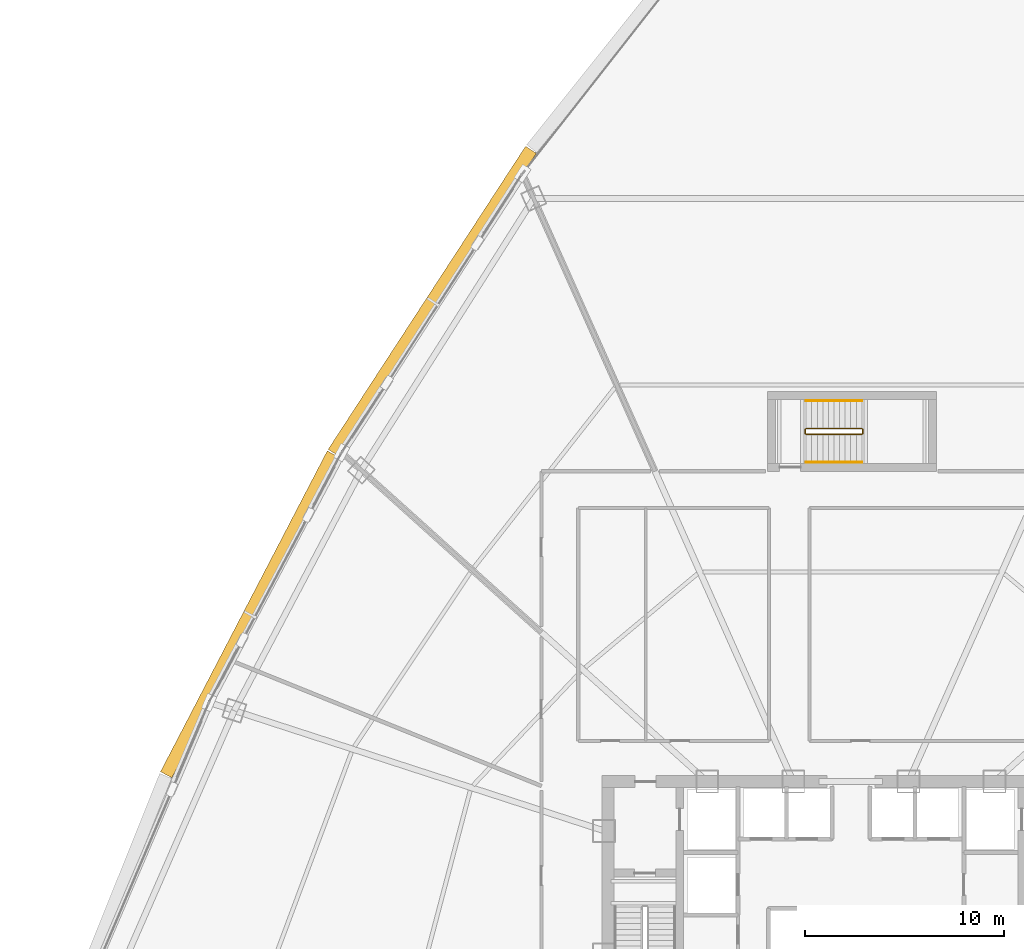
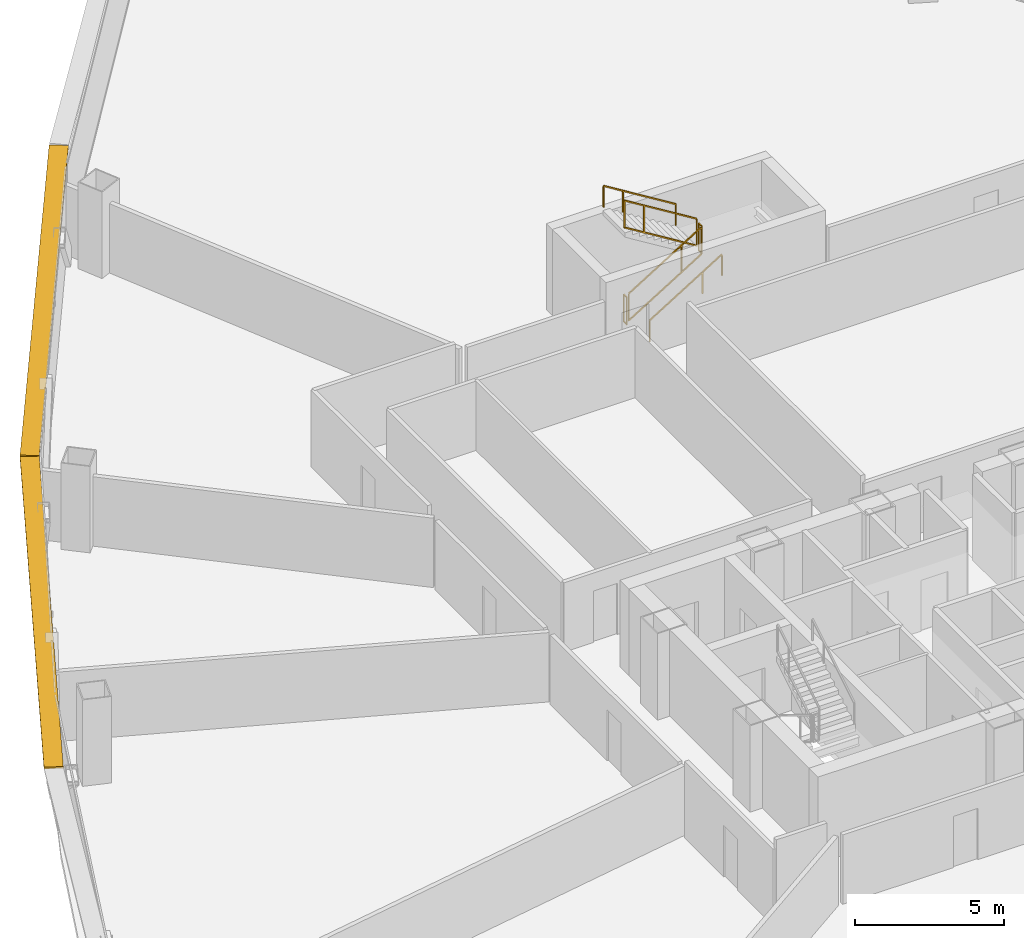
# One storey, part 40 of 41: 6 railings, 2 shading devices.
"""IFC4 building model written with IfcOpenShell, lengths in metres."""

from ifc_helpers import new_model, si_unit, direction, frame, origin, origin_2d, place, context, subcontext, project, spatial, rectangle, extrude, source, transform, mapped, material, layer, layer_set, type_object, element, save


model = new_model("IFC4")

# Units and contexts
model_context = context("Model", 3, precision=1e-05, world=origin(), true_north=direction((0.0, 1.0)))
body_context = subcontext(model_context, "Body", "Model", "MODEL_VIEW")
ifc_project = project(units=[si_unit("LENGTHUNIT", "METRE"), si_unit("AREAUNIT", "SQUARE_METRE"), si_unit("VOLUMEUNIT", "CUBIC_METRE"), si_unit("PLANEANGLEUNIT", "RADIAN"), si_unit("MASSUNIT", "GRAM", prefix="KILO"), si_unit("THERMODYNAMICTEMPERATUREUNIT", "KELVIN"), si_unit("POWERUNIT", "WATT")], contexts=[model_context])

# Site, building, storey
site_placement = place(None, origin())
site = spatial("IfcSite", under=ifc_project, at=site_placement, CompositionType="ELEMENT")
building_placement = place(site_placement, origin())
building = spatial("IfcBuilding", under=site, at=building_placement, Name="Yunzhuo Pagoda Commons", CompositionType="ELEMENT")
storey_placement = place(building_placement, frame((0.0, 0.0, 111.580078125)))
storey = spatial("IfcBuildingStorey", under=building, at=storey_placement, Name="L28", CompositionType="ELEMENT", Elevation=111.580078125)

# Railings
ifc_material = material(Name="Anodized aluminium 6063-T6", Category="aluminium")
railing_type_1 = type_object("IfcRailingType", Name="GR-ST3 North Well Guardrail 1155", PredefinedType="GUARDRAIL", material=ifc_material)
railing_1_placement = place(storey_placement, frame((45.75, 57.64990234375, 0.172607421875)))
element("IfcRailing", 1, at=railing_1_placement, inside=storey, type_object=railing_type_1, Name="L28 ST3 stair guard 1", PredefinedType="GUARDRAIL", context=body_context, shape_type="SweptSolid", body=[
    extrude(rectangle(XDim=0.048095703125, YDim=0.048095703125, at=origin_2d()), frame((0.0, 0.0, 1.1259765625), z_axis=(0.851089632645, 0.0, 0.525020415988), x_axis=(0.0, 1.0, 0.0)), (0.0, 0.0, 1.0), 3.2900390625),
    extrude(rectangle(XDim=0.048095703125, YDim=0.048095703125, at=origin_2d()), frame((0.0, 0.0, 0.02392578125), z_axis=(0.851089632645, 0.0, 0.525020415988), x_axis=(0.0, 1.0, 0.0)), (0.0, 0.0, 1.0), 3.2900390625),
    extrude(rectangle(XDim=0.0419921875, YDim=0.0419921875, at=origin_2d()), origin(), (0.0, 0.0, 1.0), 1.101806640625),
    extrude(rectangle(XDim=0.0419921875, YDim=0.0419921875, at=origin_2d()), frame((2.042724609375, 0.0, 1.260009765625)), (0.0, 0.0, 1.0), 1.101806640625),
    extrude(rectangle(XDim=0.0419921875, YDim=0.0419921875, at=origin_2d()), frame((2.800048828125, 0.0, 1.727294921875)), (0.0, 0.0, 1.0), 1.101806640625),
])
railing_2_placement = place(storey_placement, frame((48.60009765625, 57.699951171875, 1.89990234375)))
element("IfcRailing", 2, at=railing_2_placement, inside=storey, type_object=railing_type_1, Name="L28 ST3 stair guard 2", PredefinedType="GUARDRAIL", context=body_context, shape_type="SweptSolid", body=[
    extrude(rectangle(XDim=0.048095703125, YDim=0.048095703125, at=origin_2d()), frame((0.0, 0.0, 1.1259765625), z_axis=(0.0, 1.0, 0.0), x_axis=(-1.0, 0.0, 0.0)), (0.0, 0.0, 1.0), 0.199951171875),
    extrude(rectangle(XDim=0.048095703125, YDim=0.048095703125, at=origin_2d()), frame((0.0, 0.0, 0.02392578125), z_axis=(0.0, 1.0, 0.0), x_axis=(-1.0, 0.0, 0.0)), (0.0, 0.0, 1.0), 0.199951171875),
    extrude(rectangle(XDim=0.0419921875, YDim=0.0419921875, at=origin_2d()), origin(), (0.0, 0.0, 1.0), 1.101806640625),
    extrude(rectangle(XDim=0.0419921875, YDim=0.0419921875, at=origin_2d()), frame((0.0, 0.199951171875, 0.0)), (0.0, 0.0, 1.0), 1.101806640625),
])
railing_3_placement = place(storey_placement, frame((48.550048828125, 57.949951171875, 2.07275390625)))
element("IfcRailing", 3, at=railing_3_placement, inside=storey, type_object=railing_type_1, Name="L28 ST3 stair guard 3", PredefinedType="GUARDRAIL", context=body_context, shape_type="SweptSolid", body=[
    extrude(rectangle(XDim=0.048095703125, YDim=0.048095703125, at=origin_2d()), frame((0.0, 0.0, 1.1259765625), z_axis=(-0.851122791225, 0.0, 0.524966660138), x_axis=(0.0, -1.0, 0.0)), (0.0, 0.0, 1.0), 3.289794921875),
    extrude(rectangle(XDim=0.048095703125, YDim=0.048095703125, at=origin_2d()), frame((0.0, 0.0, 0.02392578125), z_axis=(-0.851122791225, 0.0, 0.524966660138), x_axis=(0.0, -1.0, 0.0)), (0.0, 0.0, 1.0), 3.289794921875),
    extrude(rectangle(XDim=0.0419921875, YDim=0.0419921875, at=origin_2d()), origin(), (0.0, 0.0, 1.0), 1.101806640625),
    extrude(rectangle(XDim=0.0419921875, YDim=0.0419921875, at=origin_2d()), frame((-2.042724609375, 0.0, 1.260009765625)), (0.0, 0.0, 1.0), 1.101806640625),
    extrude(rectangle(XDim=0.0419921875, YDim=0.0419921875, at=origin_2d()), frame((-2.800048828125, 0.0, 1.72705078125)), (0.0, 0.0, 1.0), 1.101806640625),
])
railing_4_placement = place(storey_placement, frame((45.699951171875, 57.699951171875, 0.0)))
element("IfcRailing", 4, at=railing_4_placement, inside=storey, type_object=railing_type_1, Name="L28 ST3 stair guard 4", PredefinedType="GUARDRAIL", context=body_context, shape_type="SweptSolid", body=[
    extrude(rectangle(XDim=0.048095703125, YDim=0.048095703125, at=origin_2d()), frame((0.0, 0.0, 1.1259765625), z_axis=(0.0, 1.0, 0.0), x_axis=(-1.0, 0.0, 0.0)), (0.0, 0.0, 1.0), 0.199951171875),
    extrude(rectangle(XDim=0.048095703125, YDim=0.048095703125, at=origin_2d()), frame((0.0, 0.0, 0.02392578125), z_axis=(0.0, 1.0, 0.0), x_axis=(-1.0, 0.0, 0.0)), (0.0, 0.0, 1.0), 0.199951171875),
    extrude(rectangle(XDim=0.0419921875, YDim=0.0419921875, at=origin_2d()), origin(), (0.0, 0.0, 1.0), 1.101806640625),
    extrude(rectangle(XDim=0.0419921875, YDim=0.0419921875, at=origin_2d()), frame((0.0, 0.199951171875, 0.0)), (0.0, 0.0, 1.0), 1.101806640625),
])
railing_type_2 = type_object("IfcRailingType", Name="HR-ST3 North Stair Handrail 900", PredefinedType="HANDRAIL", material=ifc_material)
railing_5_placement = place(storey_placement, frame((45.75, 56.25, 0.172607421875)))
element("IfcRailing", 5, at=railing_5_placement, inside=storey, type_object=railing_type_2, Name="L28 ST3 stair handrail 1", PredefinedType="HANDRAIL", context=body_context, shape_type="SweptSolid", body=[
    extrude(rectangle(XDim=0.048095703125, YDim=0.048095703125, at=origin_2d()), frame((0.0, 0.0, 0.8759765625), z_axis=(0.851089632645, 0.0, 0.525020415988), x_axis=(0.0, 1.0, 0.0)), (0.0, 0.0, 1.0), 3.2900390625),
    extrude(rectangle(XDim=0.0419921875, YDim=0.0419921875, at=origin_2d()), origin(), (0.0, 0.0, 1.0), 0.851806640625),
    extrude(rectangle(XDim=0.0419921875, YDim=0.0419921875, at=origin_2d()), frame((2.042724609375, 0.0, 1.260009765625)), (0.0, 0.0, 1.0), 0.851806640625),
    extrude(rectangle(XDim=0.0419921875, YDim=0.0419921875, at=origin_2d()), frame((2.800048828125, 0.0, 1.727294921875)), (0.0, 0.0, 1.0), 0.851806640625),
])
railing_6_placement = place(storey_placement, frame((48.550048828125, 59.35009765625, 2.07275390625)))
element("IfcRailing", 6, at=railing_6_placement, inside=storey, type_object=railing_type_2, Name="L28 ST3 stair handrail 2", PredefinedType="HANDRAIL", context=body_context, shape_type="SweptSolid", body=[
    extrude(rectangle(XDim=0.048095703125, YDim=0.048095703125, at=origin_2d()), frame((0.0, 0.0, 0.8759765625), z_axis=(-0.851122791225, 0.0, 0.524966660138), x_axis=(0.0, -1.0, 0.0)), (0.0, 0.0, 1.0), 3.289794921875),
    extrude(rectangle(XDim=0.0419921875, YDim=0.0419921875, at=origin_2d()), origin(), (0.0, 0.0, 1.0), 0.851806640625),
    extrude(rectangle(XDim=0.0419921875, YDim=0.0419921875, at=origin_2d()), frame((-2.042724609375, 0.0, 1.260009765625)), (0.0, 0.0, 1.0), 0.851806640625),
    extrude(rectangle(XDim=0.0419921875, YDim=0.0419921875, at=origin_2d()), frame((-2.800048828125, 0.0, 1.72705078125)), (0.0, 0.0, 1.0), 0.851806640625),
])

# Shading devices
ifc_layer = layer(ifc_material, 0.080078125)
ifc_layer_set = layer_set([ifc_layer], Name="Anodized aluminium 6063-T6")
shading_device_type = type_object("IfcShadingDeviceType", Name="SH-SUN1 Pagoda Horizontal Sunshade Eave 650", PredefinedType="USERDEFINED", material=ifc_layer_set)
shared_shape = source(origin(), body_context, "Body", "SweptSolid", [
    extrude(rectangle(XDim=18.1748046875, YDim=0.64990234375, at=origin_2d()), origin(), (0.0, 0.0, 1.0), 0.080078125),
])
for number, where, z_axis, x_axis, name in (
    (7, (26.9619140625, 64.34228515625, 3.4599609375), (0.0, 0.0, 1.0), (-0.545838756973, -0.837890238269, 0.0), "L28 horizontal pagoda sunshade eave F3.2"),
    (8, (17.7783203125, 48.610107421875, 3.4599609375), (0.0, 0.0, 1.0), (-0.461206683033, -0.88729273384, 0.0), "L28 horizontal pagoda sunshade eave F3.3"),
):
    element("IfcShadingDevice", number, at=place(storey_placement, frame(where, z_axis=z_axis, x_axis=x_axis)), inside=storey, type_object=shading_device_type, Name=name, ObjectType="SUNSHADE", PredefinedType="USERDEFINED", context=body_context, shape_type="MappedRepresentation", body=[
        mapped(shared_shape, transform((0.0, 0.0, 0.0), scale=1.0)),
    ])

save(model, "model.ifc")
